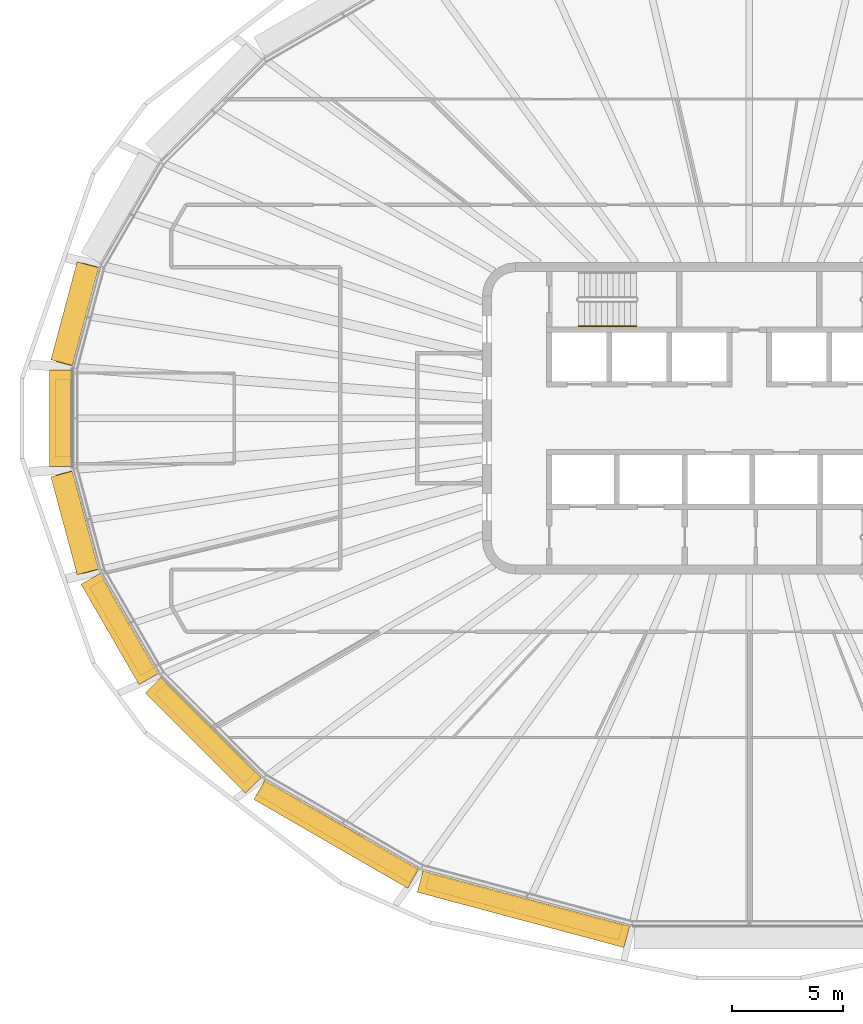
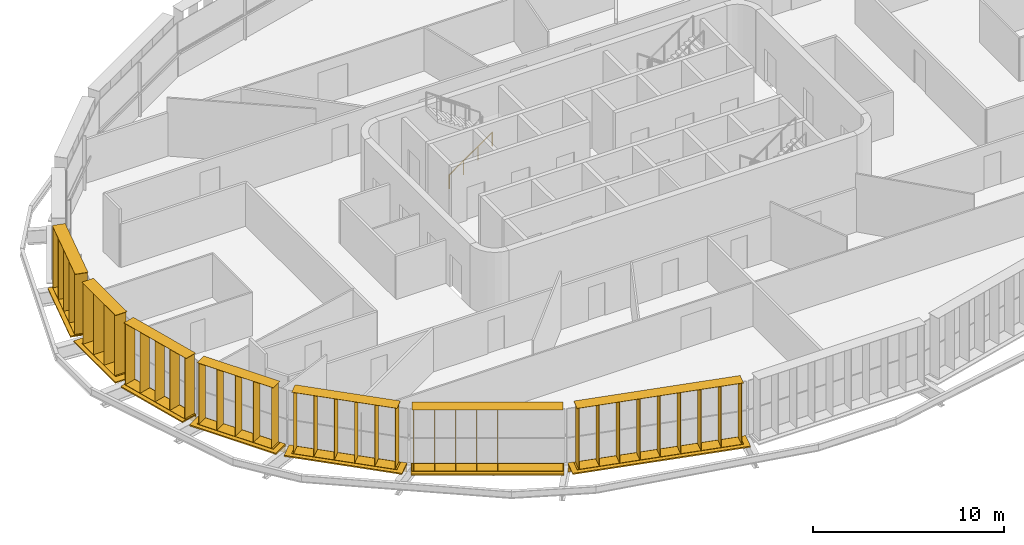
# One storey, part 16 of 20: 14 shading devices, 1 railing.
"""IFC4 building model written with IfcOpenShell, lengths in metres."""

from ifc_helpers import new_model, si_unit, direction, frame, origin, origin_2d, place, context, subcontext, project, spatial, rectangle, circle, extrude, material, type_object, element, save


model = new_model("IFC4")

# Units and contexts
model_context = context("Model", 3, precision=1e-05, world=origin(), true_north=direction((0.0, 1.0)))
body_context = subcontext(model_context, "Body", "Model", "MODEL_VIEW")
ifc_project = project(units=[si_unit("LENGTHUNIT", "METRE"), si_unit("AREAUNIT", "SQUARE_METRE"), si_unit("VOLUMEUNIT", "CUBIC_METRE"), si_unit("PLANEANGLEUNIT", "RADIAN"), si_unit("MASSUNIT", "GRAM", prefix="KILO")], contexts=[model_context])

# Site, building, storey
site_placement = place(None, origin())
site = spatial("IfcSite", under=ifc_project, at=site_placement, CompositionType="ELEMENT")
building_placement = place(site_placement, origin())
building = spatial("IfcBuilding", under=site, at=building_placement, Name="Sahrelin Media Tower", CompositionType="ELEMENT")
storey_placement = place(building_placement, frame((0.0, 0.0, 245.60009765625)))
storey = spatial("IfcBuildingStorey", under=building, at=storey_placement, Name="L53", CompositionType="ELEMENT", Elevation=245.60009765625)

# Shading devices
ifc_material_1 = material(Name="Champagne anodised aluminium 6063-T6", Category="aluminium")
shading_device_type_1 = type_object("IfcShadingDeviceType", Name="Fin cassette", PredefinedType="USERDEFINED", material=ifc_material_1)
placement_1 = place(storey_placement, frame((-29.83447265625, 4.572265625, 0.0), z_axis=(0.0, 0.0, 1.0), x_axis=(0.258807731996, 0.965928857556, 0.0)))
element("IfcShadingDevice", 1, at=placement_1, inside=storey, type_object=shading_device_type_1, Name="L53:FIN:L53-11", ObjectType="FIN", PredefinedType="USERDEFINED", context=body_context, shape_type="SweptSolid", body=[
    extrude(rectangle(XDim=4.60009765625, YDim=0.699951171875, at=origin_2d()), frame((0.0, 0.419921875, 0.0)), (0.0, 0.0, 1.0), 0.02001953125),
    extrude(rectangle(XDim=4.60009765625, YDim=0.699951171875, at=origin_2d()), frame((0.0, 0.419921875, 3.89990234375)), (0.0, 0.0, 1.0), 0.02001953125),
    extrude(rectangle(XDim=0.02001953125, YDim=0.699951171875, at=origin_2d()), frame((-2.199951171875, 0.419921875, 0.010009765625), z_axis=(0.0, 0.0, 1.0), x_axis=(1.0, 0.0, 0.0)), (0.0, 0.0, 1.0), 3.89990234375),
    extrude(rectangle(XDim=0.02001953125, YDim=0.699951171875, at=origin_2d()), frame((-1.10009765625, 0.419921875, 0.010009765625), z_axis=(0.0, 0.0, 1.0), x_axis=(1.0, 0.0, 0.0)), (0.0, 0.0, 1.0), 3.89990234375),
    extrude(rectangle(XDim=0.02001953125, YDim=0.699951171875, at=origin_2d()), frame((0.0, 0.419921875, 0.010009765625), z_axis=(0.0, 0.0, 1.0), x_axis=(1.0, 0.0, 0.0)), (0.0, 0.0, 1.0), 3.89990234375),
    extrude(rectangle(XDim=0.02001953125, YDim=0.699951171875, at=origin_2d()), frame((1.10009765625, 0.419921875, 0.010009765625), z_axis=(0.0, 0.0, 1.0), x_axis=(1.0, 0.0, 0.0)), (0.0, 0.0, 1.0), 3.89990234375),
    extrude(rectangle(XDim=0.02001953125, YDim=0.699951171875, at=origin_2d()), frame((2.199951171875, 0.419921875, 0.010009765625), z_axis=(0.0, 0.0, 1.0), x_axis=(1.0, 0.0, 0.0)), (0.0, 0.0, 1.0), 3.89990234375),
])
placement_2 = place(storey_placement, frame((-30.449951171875, 0.0, 0.0), z_axis=(0.0, 0.0, 1.0), x_axis=(0.0, 1.0, 0.0)))
element("IfcShadingDevice", 2, at=placement_2, inside=storey, type_object=shading_device_type_1, Name="L53:FIN:L53-12", ObjectType="FIN", PredefinedType="USERDEFINED", context=body_context, shape_type="SweptSolid", body=[
    extrude(rectangle(XDim=3.5, YDim=0.699951171875, at=origin_2d()), frame((0.0, 0.419921875, 0.0)), (0.0, 0.0, 1.0), 0.02001953125),
    extrude(rectangle(XDim=3.5, YDim=0.699951171875, at=origin_2d()), frame((0.0, 0.419921875, 3.89990234375)), (0.0, 0.0, 1.0), 0.02001953125),
    extrude(rectangle(XDim=0.02001953125, YDim=0.699951171875, at=origin_2d()), frame((-1.64990234375, 0.419921875, 0.010009765625), z_axis=(0.0, 0.0, 1.0), x_axis=(1.0, 0.0, 0.0)), (0.0, 0.0, 1.0), 3.89990234375),
    extrude(rectangle(XDim=0.02001953125, YDim=0.699951171875, at=origin_2d()), frame((-0.550048828125, 0.419921875, 0.010009765625), z_axis=(0.0, 0.0, 1.0), x_axis=(1.0, 0.0, 0.0)), (0.0, 0.0, 1.0), 3.89990234375),
    extrude(rectangle(XDim=0.02001953125, YDim=0.699951171875, at=origin_2d()), frame((0.550048828125, 0.419921875, 0.010009765625), z_axis=(0.0, 0.0, 1.0), x_axis=(1.0, 0.0, 0.0)), (0.0, 0.0, 1.0), 3.89990234375),
    extrude(rectangle(XDim=0.02001953125, YDim=0.699951171875, at=origin_2d()), frame((1.64990234375, 0.419921875, 0.010009765625), z_axis=(0.0, 0.0, 1.0), x_axis=(1.0, 0.0, 0.0)), (0.0, 0.0, 1.0), 3.89990234375),
])
placement_3 = place(storey_placement, frame((-29.834228515625, -4.572265625, 0.0), z_axis=(0.0, 0.0, 1.0), x_axis=(-0.258807731996, 0.965928857556, 0.0)))
element("IfcShadingDevice", 3, at=placement_3, inside=storey, type_object=shading_device_type_1, Name="L53:FIN:L53-13", ObjectType="FIN", PredefinedType="USERDEFINED", context=body_context, shape_type="SweptSolid", body=[
    extrude(rectangle(XDim=4.60009765625, YDim=0.699951171875, at=origin_2d()), frame((0.0, 0.419921875, 0.0)), (0.0, 0.0, 1.0), 0.02001953125),
    extrude(rectangle(XDim=4.60009765625, YDim=0.699951171875, at=origin_2d()), frame((0.0, 0.419921875, 3.89990234375)), (0.0, 0.0, 1.0), 0.02001953125),
    extrude(rectangle(XDim=0.02001953125, YDim=0.699951171875, at=origin_2d()), frame((-2.199951171875, 0.419921875, 0.010009765625), z_axis=(0.0, 0.0, 1.0), x_axis=(1.0, 0.0, 0.0)), (0.0, 0.0, 1.0), 3.89990234375),
    extrude(rectangle(XDim=0.02001953125, YDim=0.699951171875, at=origin_2d()), frame((-1.10009765625, 0.419921875, 0.010009765625), z_axis=(0.0, 0.0, 1.0), x_axis=(1.0, 0.0, 0.0)), (0.0, 0.0, 1.0), 3.89990234375),
    extrude(rectangle(XDim=0.02001953125, YDim=0.699951171875, at=origin_2d()), frame((0.0, 0.419921875, 0.010009765625), z_axis=(0.0, 0.0, 1.0), x_axis=(1.0, 0.0, 0.0)), (0.0, 0.0, 1.0), 3.89990234375),
    extrude(rectangle(XDim=0.02001953125, YDim=0.699951171875, at=origin_2d()), frame((1.10009765625, 0.419921875, 0.010009765625), z_axis=(0.0, 0.0, 1.0), x_axis=(1.0, 0.0, 0.0)), (0.0, 0.0, 1.0), 3.89990234375),
    extrude(rectangle(XDim=0.02001953125, YDim=0.699951171875, at=origin_2d()), frame((2.199951171875, 0.419921875, 0.010009765625), z_axis=(0.0, 0.0, 1.0), x_axis=(1.0, 0.0, 0.0)), (0.0, 0.0, 1.0), 3.89990234375),
])
placement_4 = place(storey_placement, frame((-27.865234375, -9.214111328125, 0.0), z_axis=(0.0, 0.0, 1.0), x_axis=(-0.500011000363, 0.866019052629, 0.0)))
element("IfcShadingDevice", 4, at=placement_4, inside=storey, type_object=shading_device_type_1, Name="L53:FIN:L53-14", ObjectType="FIN", PredefinedType="USERDEFINED", context=body_context, shape_type="SweptSolid", body=[
    extrude(rectangle(XDim=4.60009765625, YDim=0.699951171875, at=origin_2d()), frame((0.0, 0.419921875, 0.0)), (0.0, 0.0, 1.0), 0.02001953125),
    extrude(rectangle(XDim=4.60009765625, YDim=0.699951171875, at=origin_2d()), frame((0.0, 0.419921875, 3.89990234375)), (0.0, 0.0, 1.0), 0.02001953125),
    extrude(rectangle(XDim=0.02001953125, YDim=0.699951171875, at=origin_2d()), frame((-2.199951171875, 0.419921875, 0.010009765625), z_axis=(0.0, 0.0, 1.0), x_axis=(1.0, 0.0, 0.0)), (0.0, 0.0, 1.0), 3.89990234375),
    extrude(rectangle(XDim=0.02001953125, YDim=0.699951171875, at=origin_2d()), frame((-1.10009765625, 0.419921875, 0.010009765625), z_axis=(0.0, 0.0, 1.0), x_axis=(1.0, 0.0, 0.0)), (0.0, 0.0, 1.0), 3.89990234375),
    extrude(rectangle(XDim=0.02001953125, YDim=0.699951171875, at=origin_2d()), frame((0.0, 0.419921875, 0.010009765625), z_axis=(0.0, 0.0, 1.0), x_axis=(1.0, 0.0, 0.0)), (0.0, 0.0, 1.0), 3.89990234375),
    extrude(rectangle(XDim=0.02001953125, YDim=0.699951171875, at=origin_2d()), frame((1.10009765625, 0.419921875, 0.010009765625), z_axis=(0.0, 0.0, 1.0), x_axis=(1.0, 0.0, 0.0)), (0.0, 0.0, 1.0), 3.89990234375),
    extrude(rectangle(XDim=0.02001953125, YDim=0.699951171875, at=origin_2d()), frame((2.199951171875, 0.419921875, 0.010009765625), z_axis=(0.0, 0.0, 1.0), x_axis=(1.0, 0.0, 0.0)), (0.0, 0.0, 1.0), 3.89990234375),
])
placement_5 = place(storey_placement, frame((-24.1865234375, -13.88330078125, 0.0), z_axis=(0.0, 0.0, 1.0), x_axis=(-0.707106781187, 0.707106781187, 0.0)))
element("IfcShadingDevice", 5, at=placement_5, inside=storey, type_object=shading_device_type_1, Name="L53:FIN:L53-15", ObjectType="FIN", PredefinedType="USERDEFINED", context=body_context, shape_type="SweptSolid", body=[
    extrude(rectangle(XDim=5.699951171875, YDim=0.699951171875, at=origin_2d()), frame((0.0, 0.419921875, 0.0)), (0.0, 0.0, 1.0), 0.02001953125),
    extrude(rectangle(XDim=5.699951171875, YDim=0.699951171875, at=origin_2d()), frame((0.0, 0.419921875, 3.89990234375)), (0.0, 0.0, 1.0), 0.02001953125),
    extrude(rectangle(XDim=0.02001953125, YDim=0.699951171875, at=origin_2d()), frame((-2.75, 0.419921875, 0.010009765625), z_axis=(0.0, 0.0, 1.0), x_axis=(1.0, 0.0, 0.0)), (0.0, 0.0, 1.0), 3.89990234375),
    extrude(rectangle(XDim=0.02001953125, YDim=0.699951171875, at=origin_2d()), frame((-1.64990234375, 0.419921875, 0.010009765625), z_axis=(0.0, 0.0, 1.0), x_axis=(1.0, 0.0, 0.0)), (0.0, 0.0, 1.0), 3.89990234375),
    extrude(rectangle(XDim=0.02001953125, YDim=0.699951171875, at=origin_2d()), frame((-0.550048828125, 0.419921875, 0.010009765625), z_axis=(0.0, 0.0, 1.0), x_axis=(1.0, 0.0, 0.0)), (0.0, 0.0, 1.0), 3.89990234375),
    extrude(rectangle(XDim=0.02001953125, YDim=0.699951171875, at=origin_2d()), frame((0.550048828125, 0.419921875, 0.010009765625), z_axis=(0.0, 0.0, 1.0), x_axis=(1.0, 0.0, 0.0)), (0.0, 0.0, 1.0), 3.89990234375),
    extrude(rectangle(XDim=0.02001953125, YDim=0.699951171875, at=origin_2d()), frame((1.64990234375, 0.419921875, 0.010009765625), z_axis=(0.0, 0.0, 1.0), x_axis=(1.0, 0.0, 0.0)), (0.0, 0.0, 1.0), 3.89990234375),
    extrude(rectangle(XDim=0.02001953125, YDim=0.699951171875, at=origin_2d()), frame((2.75, 0.419921875, 0.010009765625), z_axis=(0.0, 0.0, 1.0), x_axis=(1.0, 0.0, 0.0)), (0.0, 0.0, 1.0), 3.89990234375),
])
placement_6 = place(storey_placement, frame((-18.3115234375, -18.25830078125, 0.0), z_axis=(0.0, 0.0, 1.0), x_axis=(-0.866019052629, 0.500011000363, 0.0)))
element("IfcShadingDevice", 6, at=placement_6, inside=storey, type_object=shading_device_type_1, Name="L53:FIN:L53-16", ObjectType="FIN", PredefinedType="USERDEFINED", context=body_context, shape_type="SweptSolid", body=[
    extrude(rectangle(XDim=7.89990234375, YDim=0.699951171875, at=origin_2d()), frame((0.0, 0.419921875, 0.0)), (0.0, 0.0, 1.0), 0.02001953125),
    extrude(rectangle(XDim=7.89990234375, YDim=0.699951171875, at=origin_2d()), frame((0.0, 0.419921875, 3.89990234375)), (0.0, 0.0, 1.0), 0.02001953125),
    extrude(rectangle(XDim=0.02001953125, YDim=0.699951171875, at=origin_2d()), frame((-3.85009765625, 0.419921875, 0.010009765625), z_axis=(0.0, 0.0, 1.0), x_axis=(1.0, 0.0, 0.0)), (0.0, 0.0, 1.0), 3.89990234375),
    extrude(rectangle(XDim=0.02001953125, YDim=0.699951171875, at=origin_2d()), frame((-2.75, 0.419921875, 0.010009765625), z_axis=(0.0, 0.0, 1.0), x_axis=(1.0, 0.0, 0.0)), (0.0, 0.0, 1.0), 3.89990234375),
    extrude(rectangle(XDim=0.02001953125, YDim=0.699951171875, at=origin_2d()), frame((-1.64990234375, 0.419921875, 0.010009765625), z_axis=(0.0, 0.0, 1.0), x_axis=(1.0, 0.0, 0.0)), (0.0, 0.0, 1.0), 3.89990234375),
    extrude(rectangle(XDim=0.02001953125, YDim=0.699951171875, at=origin_2d()), frame((-0.550048828125, 0.419921875, 0.010009765625), z_axis=(0.0, 0.0, 1.0), x_axis=(1.0, 0.0, 0.0)), (0.0, 0.0, 1.0), 3.89990234375),
    extrude(rectangle(XDim=0.02001953125, YDim=0.699951171875, at=origin_2d()), frame((0.550048828125, 0.419921875, 0.010009765625), z_axis=(0.0, 0.0, 1.0), x_axis=(1.0, 0.0, 0.0)), (0.0, 0.0, 1.0), 3.89990234375),
    extrude(rectangle(XDim=0.02001953125, YDim=0.699951171875, at=origin_2d()), frame((1.64990234375, 0.419921875, 0.010009765625), z_axis=(0.0, 0.0, 1.0), x_axis=(1.0, 0.0, 0.0)), (0.0, 0.0, 1.0), 3.89990234375),
    extrude(rectangle(XDim=0.02001953125, YDim=0.699951171875, at=origin_2d()), frame((2.75, 0.419921875, 0.010009765625), z_axis=(0.0, 0.0, 1.0), x_axis=(1.0, 0.0, 0.0)), (0.0, 0.0, 1.0), 3.89990234375),
    extrude(rectangle(XDim=0.02001953125, YDim=0.699951171875, at=origin_2d()), frame((3.85009765625, 0.419921875, 0.010009765625), z_axis=(0.0, 0.0, 1.0), x_axis=(1.0, 0.0, 0.0)), (0.0, 0.0, 1.0), 3.89990234375),
])
placement_7 = place(storey_placement, frame((-10.017578125, -21.57861328125, 0.0), z_axis=(0.0, 0.0, 1.0), x_axis=(-0.965928857556, 0.258807731996, 0.0)))
element("IfcShadingDevice", 7, at=placement_7, inside=storey, type_object=shading_device_type_1, Name="L53:FIN:L53-17", ObjectType="FIN", PredefinedType="USERDEFINED", context=body_context, shape_type="SweptSolid", body=[
    extrude(rectangle(XDim=9.0, YDim=0.699951171875, at=origin_2d()), frame((0.0, 0.419921875, 0.0)), (0.0, 0.0, 1.0), 0.02001953125),
    extrude(rectangle(XDim=9.0, YDim=0.699951171875, at=origin_2d()), frame((0.0, 0.419921875, 3.89990234375)), (0.0, 0.0, 1.0), 0.02001953125),
    extrude(rectangle(XDim=0.02001953125, YDim=0.699951171875, at=origin_2d()), frame((-4.39990234375, 0.419921875, 0.010009765625), z_axis=(0.0, 0.0, 1.0), x_axis=(1.0, 0.0, 0.0)), (0.0, 0.0, 1.0), 3.89990234375),
    extrude(rectangle(XDim=0.02001953125, YDim=0.699951171875, at=origin_2d()), frame((-3.300048828125, 0.419921875, 0.010009765625), z_axis=(0.0, 0.0, 1.0), x_axis=(1.0, 0.0, 0.0)), (0.0, 0.0, 1.0), 3.89990234375),
    extrude(rectangle(XDim=0.02001953125, YDim=0.699951171875, at=origin_2d()), frame((-2.199951171875, 0.419921875, 0.010009765625), z_axis=(0.0, 0.0, 1.0), x_axis=(1.0, 0.0, 0.0)), (0.0, 0.0, 1.0), 3.89990234375),
    extrude(rectangle(XDim=0.02001953125, YDim=0.699951171875, at=origin_2d()), frame((-1.10009765625, 0.419921875, 0.010009765625), z_axis=(0.0, 0.0, 1.0), x_axis=(1.0, 0.0, 0.0)), (0.0, 0.0, 1.0), 3.89990234375),
    extrude(rectangle(XDim=0.02001953125, YDim=0.699951171875, at=origin_2d()), frame((0.0, 0.419921875, 0.010009765625), z_axis=(0.0, 0.0, 1.0), x_axis=(1.0, 0.0, 0.0)), (0.0, 0.0, 1.0), 3.89990234375),
    extrude(rectangle(XDim=0.02001953125, YDim=0.699951171875, at=origin_2d()), frame((1.10009765625, 0.419921875, 0.010009765625), z_axis=(0.0, 0.0, 1.0), x_axis=(1.0, 0.0, 0.0)), (0.0, 0.0, 1.0), 3.89990234375),
    extrude(rectangle(XDim=0.02001953125, YDim=0.699951171875, at=origin_2d()), frame((2.199951171875, 0.419921875, 0.010009765625), z_axis=(0.0, 0.0, 1.0), x_axis=(1.0, 0.0, 0.0)), (0.0, 0.0, 1.0), 3.89990234375),
    extrude(rectangle(XDim=0.02001953125, YDim=0.699951171875, at=origin_2d()), frame((3.300048828125, 0.419921875, 0.010009765625), z_axis=(0.0, 0.0, 1.0), x_axis=(1.0, 0.0, 0.0)), (0.0, 0.0, 1.0), 3.89990234375),
    extrude(rectangle(XDim=0.02001953125, YDim=0.699951171875, at=origin_2d()), frame((4.39990234375, 0.419921875, 0.010009765625), z_axis=(0.0, 0.0, 1.0), x_axis=(1.0, 0.0, 0.0)), (0.0, 0.0, 1.0), 3.89990234375),
])

# Railing
ifc_material_2 = material(Name="Steel S355", Category="steel")
railing_type = type_object("IfcRailingType", Name="Stair handrail 900", PredefinedType="HANDRAIL", material=ifc_material_2)
railing_placement = place(storey_placement, frame((-7.675048828125, 4.14990234375, 0.181640625)))
element("IfcRailing", 8, at=railing_placement, inside=storey, type_object=railing_type, Name="L53 ST1 stair handrail 1", PredefinedType="HANDRAIL", context=body_context, shape_type="SweptSolid", body=[
    extrude(circle(Radius=0.02392578125, at=origin_2d()), frame((0.0, 0.0, 0.8759765625), z_axis=(0.819484887739, 0.0, 0.573100792852), x_axis=(0.0, 1.0, 0.0)), (0.0, 0.0, 1.0), 3.1728515625),
    extrude(circle(Radius=0.02099609375, at=origin_2d()), origin(), (0.0, 0.0, 1.0), 0.851806640625),
    extrude(circle(Radius=0.02099609375, at=origin_2d()), frame((0.86669921875, 0.0, 0.606201171875)), (0.0, 0.0, 1.0), 0.851806640625),
    extrude(circle(Radius=0.02099609375, at=origin_2d()), frame((1.7333984375, 0.0, 1.212158203125)), (0.0, 0.0, 1.0), 0.851806640625),
    extrude(circle(Radius=0.02099609375, at=origin_2d()), frame((2.60009765625, 0.0, 1.818359375)), (0.0, 0.0, 1.0), 0.851806640625),
])

# Shading devices
shading_device_type_2 = type_object("IfcShadingDeviceType", Name="Sunshade band", PredefinedType="USERDEFINED", material=ifc_material_1)
element("IfcShadingDevice", 9, at=placement_1, inside=storey, type_object=shading_device_type_2, Name="L53:SUN:L53-11", ObjectType="SUNSHADE", PredefinedType="USERDEFINED", context=body_context, shape_type="SweptSolid", body=[
    extrude(rectangle(XDim=4.5576171875, YDim=0.050048828125, at=origin_2d()), frame((0.0, 0.044921875, -0.55126953125)), (0.0, 0.0, 1.0), 0.471435546875),
    extrude(rectangle(XDim=4.5576171875, YDim=1.0, at=origin_2d()), frame((0.0, 0.52001953125, -0.080078125)), (0.0, 0.0, 1.0), 0.080078125),
    extrude(rectangle(XDim=0.10009765625, YDim=0.074951171875, at=origin_2d()), frame((-2.1787109375, -0.017578125, -0.47021484375)), (0.0, 0.0, 1.0), 0.300048828125),
    extrude(rectangle(XDim=0.10009765625, YDim=0.074951171875, at=origin_2d()), frame((-0.726318359375, -0.017578125, -0.47021484375)), (0.0, 0.0, 1.0), 0.300048828125),
    extrude(rectangle(XDim=0.10009765625, YDim=0.074951171875, at=origin_2d()), frame((0.726318359375, -0.017578125, -0.47021484375)), (0.0, 0.0, 1.0), 0.300048828125),
    extrude(rectangle(XDim=0.10009765625, YDim=0.074951171875, at=origin_2d()), frame((2.1787109375, -0.017578125, -0.47021484375)), (0.0, 0.0, 1.0), 0.300048828125),
])
element("IfcShadingDevice", 10, at=placement_2, inside=storey, type_object=shading_device_type_2, Name="L53:SUN:L53-12", ObjectType="SUNSHADE", PredefinedType="USERDEFINED", context=body_context, shape_type="SweptSolid", body=[
    extrude(rectangle(XDim=4.34912109375, YDim=0.050048828125, at=origin_2d()), frame((0.0, 0.044921875, -0.55126953125)), (0.0, 0.0, 1.0), 0.471435546875),
    extrude(rectangle(XDim=4.34912109375, YDim=1.0, at=origin_2d()), frame((0.0, 0.52001953125, -0.080078125)), (0.0, 0.0, 1.0), 0.080078125),
    extrude(rectangle(XDim=0.10009765625, YDim=0.074951171875, at=origin_2d()), frame((-2.074462890625, -0.017578125, -0.47021484375)), (0.0, 0.0, 1.0), 0.300048828125),
    extrude(rectangle(XDim=0.10009765625, YDim=0.074951171875, at=origin_2d()), frame((-0.69140625, -0.017578125, -0.47021484375)), (0.0, 0.0, 1.0), 0.300048828125),
    extrude(rectangle(XDim=0.10009765625, YDim=0.074951171875, at=origin_2d()), frame((0.69140625, -0.017578125, -0.47021484375)), (0.0, 0.0, 1.0), 0.300048828125),
    extrude(rectangle(XDim=0.10009765625, YDim=0.074951171875, at=origin_2d()), frame((2.074462890625, -0.017578125, -0.47021484375)), (0.0, 0.0, 1.0), 0.300048828125),
])
element("IfcShadingDevice", 11, at=placement_3, inside=storey, type_object=shading_device_type_2, Name="L53:SUN:L53-13", ObjectType="SUNSHADE", PredefinedType="USERDEFINED", context=body_context, shape_type="SweptSolid", body=[
    extrude(rectangle(XDim=4.5576171875, YDim=0.050048828125, at=origin_2d()), frame((0.0, 0.044921875, -0.55126953125)), (0.0, 0.0, 1.0), 0.471435546875),
    extrude(rectangle(XDim=4.5576171875, YDim=1.0, at=origin_2d()), frame((0.0, 0.52001953125, -0.080078125)), (0.0, 0.0, 1.0), 0.080078125),
    extrude(rectangle(XDim=0.10009765625, YDim=0.074951171875, at=origin_2d()), frame((-2.1787109375, -0.017578125, -0.47021484375)), (0.0, 0.0, 1.0), 0.300048828125),
    extrude(rectangle(XDim=0.10009765625, YDim=0.074951171875, at=origin_2d()), frame((-0.726318359375, -0.017578125, -0.47021484375)), (0.0, 0.0, 1.0), 0.300048828125),
    extrude(rectangle(XDim=0.10009765625, YDim=0.074951171875, at=origin_2d()), frame((0.726318359375, -0.017578125, -0.47021484375)), (0.0, 0.0, 1.0), 0.300048828125),
    extrude(rectangle(XDim=0.10009765625, YDim=0.074951171875, at=origin_2d()), frame((2.1787109375, -0.017578125, -0.47021484375)), (0.0, 0.0, 1.0), 0.300048828125),
])
element("IfcShadingDevice", 12, at=placement_4, inside=storey, type_object=shading_device_type_2, Name="L53:SUN:L53-14", ObjectType="SUNSHADE", PredefinedType="USERDEFINED", context=body_context, shape_type="SweptSolid", body=[
    extrude(rectangle(XDim=5.21337890625, YDim=0.050048828125, at=origin_2d()), frame((0.0, 0.044921875, -0.55126953125)), (0.0, 0.0, 1.0), 0.471435546875),
    extrude(rectangle(XDim=5.21337890625, YDim=1.0, at=origin_2d()), frame((0.0, 0.52001953125, -0.080078125)), (0.0, 0.0, 1.0), 0.080078125),
    extrude(rectangle(XDim=0.10009765625, YDim=0.074951171875, at=origin_2d()), frame((-2.5068359375, -0.017578125, -0.47021484375)), (0.0, 0.0, 1.0), 0.300048828125),
    extrude(rectangle(XDim=0.10009765625, YDim=0.074951171875, at=origin_2d()), frame((-0.835693359375, -0.017578125, -0.47021484375)), (0.0, 0.0, 1.0), 0.300048828125),
    extrude(rectangle(XDim=0.10009765625, YDim=0.074951171875, at=origin_2d()), frame((0.835693359375, -0.017578125, -0.47021484375)), (0.0, 0.0, 1.0), 0.300048828125),
    extrude(rectangle(XDim=0.10009765625, YDim=0.074951171875, at=origin_2d()), frame((2.5068359375, -0.017578125, -0.47021484375)), (0.0, 0.0, 1.0), 0.300048828125),
])
element("IfcShadingDevice", 13, at=placement_5, inside=storey, type_object=shading_device_type_2, Name="L53:SUN:L53-15", ObjectType="SUNSHADE", PredefinedType="USERDEFINED", context=body_context, shape_type="SweptSolid", body=[
    extrude(rectangle(XDim=6.377197265625, YDim=0.050048828125, at=origin_2d()), frame((0.0, 0.044921875, -0.55126953125)), (0.0, 0.0, 1.0), 0.471435546875),
    extrude(rectangle(XDim=6.377197265625, YDim=1.0, at=origin_2d()), frame((0.0, 0.52001953125, -0.080078125)), (0.0, 0.0, 1.0), 0.080078125),
    extrude(rectangle(XDim=0.10009765625, YDim=0.074951171875, at=origin_2d()), frame((-3.08837890625, -0.017578125, -0.47021484375)), (0.0, 0.0, 1.0), 0.300048828125),
    extrude(rectangle(XDim=0.10009765625, YDim=0.074951171875, at=origin_2d()), frame((-1.544189453125, -0.017578125, -0.47021484375)), (0.0, 0.0, 1.0), 0.300048828125),
    extrude(rectangle(XDim=0.10009765625, YDim=0.074951171875, at=origin_2d()), frame((0.0, -0.017578125, -0.47021484375)), (0.0, 0.0, 1.0), 0.300048828125),
    extrude(rectangle(XDim=0.10009765625, YDim=0.074951171875, at=origin_2d()), frame((1.544189453125, -0.017578125, -0.47021484375)), (0.0, 0.0, 1.0), 0.300048828125),
    extrude(rectangle(XDim=0.10009765625, YDim=0.074951171875, at=origin_2d()), frame((3.08837890625, -0.017578125, -0.47021484375)), (0.0, 0.0, 1.0), 0.300048828125),
])
element("IfcShadingDevice", 14, at=placement_6, inside=storey, type_object=shading_device_type_2, Name="L53:SUN:L53-16", ObjectType="SUNSHADE", PredefinedType="USERDEFINED", context=body_context, shape_type="SweptSolid", body=[
    extrude(rectangle(XDim=7.997314453125, YDim=0.050048828125, at=origin_2d()), frame((0.0, 0.044921875, -0.55126953125)), (0.0, 0.0, 1.0), 0.471435546875),
    extrude(rectangle(XDim=7.997314453125, YDim=1.0, at=origin_2d()), frame((0.0, 0.52001953125, -0.080078125)), (0.0, 0.0, 1.0), 0.080078125),
    extrude(rectangle(XDim=0.10009765625, YDim=0.074951171875, at=origin_2d()), frame((-3.898681640625, -0.017578125, -0.47021484375)), (0.0, 0.0, 1.0), 0.300048828125),
    extrude(rectangle(XDim=0.10009765625, YDim=0.074951171875, at=origin_2d()), frame((-1.949462890625, -0.017578125, -0.47021484375)), (0.0, 0.0, 1.0), 0.300048828125),
    extrude(rectangle(XDim=0.10009765625, YDim=0.074951171875, at=origin_2d()), frame((0.0, -0.017578125, -0.47021484375)), (0.0, 0.0, 1.0), 0.300048828125),
    extrude(rectangle(XDim=0.10009765625, YDim=0.074951171875, at=origin_2d()), frame((1.949462890625, -0.017578125, -0.47021484375)), (0.0, 0.0, 1.0), 0.300048828125),
    extrude(rectangle(XDim=0.10009765625, YDim=0.074951171875, at=origin_2d()), frame((3.898681640625, -0.017578125, -0.47021484375)), (0.0, 0.0, 1.0), 0.300048828125),
])
element("IfcShadingDevice", 15, at=placement_7, inside=storey, type_object=shading_device_type_2, Name="L53:SUN:L53-17", ObjectType="SUNSHADE", PredefinedType="USERDEFINED", context=body_context, shape_type="SweptSolid", body=[
    extrude(rectangle(XDim=9.623291015625, YDim=0.050048828125, at=origin_2d()), frame((0.0, 0.044921875, -0.55126953125)), (0.0, 0.0, 1.0), 0.471435546875),
    extrude(rectangle(XDim=9.623291015625, YDim=1.0, at=origin_2d()), frame((0.0, 0.52001953125, -0.080078125)), (0.0, 0.0, 1.0), 0.080078125),
    extrude(rectangle(XDim=0.10009765625, YDim=0.074951171875, at=origin_2d()), frame((-4.711669921875, -0.017578125, -0.47021484375)), (0.0, 0.0, 1.0), 0.300048828125),
    extrude(rectangle(XDim=0.10009765625, YDim=0.074951171875, at=origin_2d()), frame((-2.826904296875, -0.017578125, -0.47021484375)), (0.0, 0.0, 1.0), 0.300048828125),
    extrude(rectangle(XDim=0.10009765625, YDim=0.074951171875, at=origin_2d()), frame((-0.9423828125, -0.017578125, -0.47021484375)), (0.0, 0.0, 1.0), 0.300048828125),
    extrude(rectangle(XDim=0.10009765625, YDim=0.074951171875, at=origin_2d()), frame((0.9423828125, -0.017578125, -0.47021484375)), (0.0, 0.0, 1.0), 0.300048828125),
    extrude(rectangle(XDim=0.10009765625, YDim=0.074951171875, at=origin_2d()), frame((2.826904296875, -0.017578125, -0.47021484375)), (0.0, 0.0, 1.0), 0.300048828125),
    extrude(rectangle(XDim=0.10009765625, YDim=0.074951171875, at=origin_2d()), frame((4.711669921875, -0.017578125, -0.47021484375)), (0.0, 0.0, 1.0), 0.300048828125),
])

save(model, "model.ifc")
